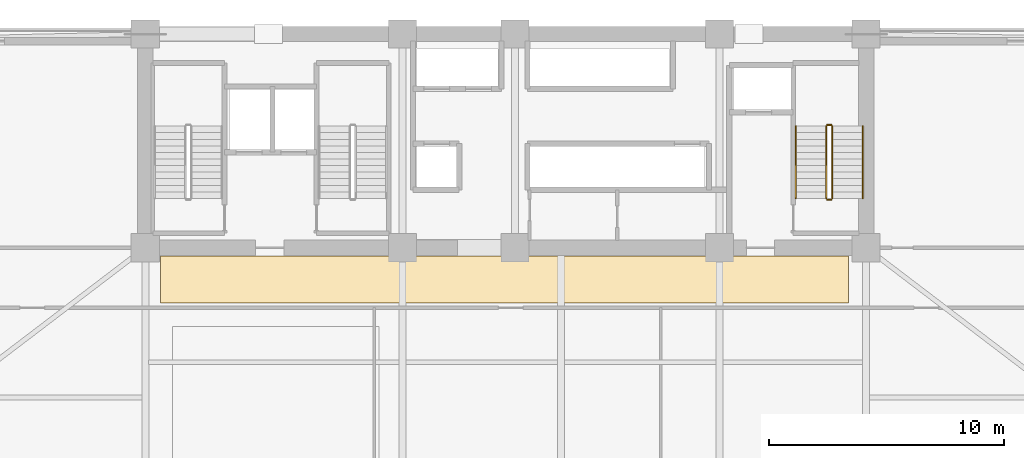
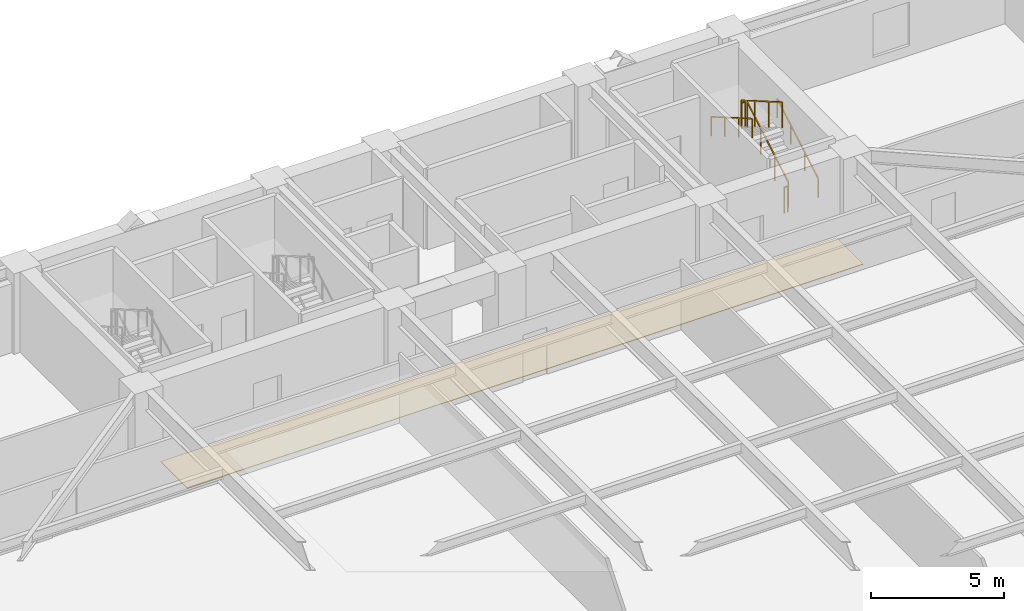
# One storey, part 16 of 17: 6 railings, 1 covering.
"""IFC4 building model written with IfcOpenShell, lengths in metres."""

from ifc_helpers import new_model, si_unit, direction, frame, origin, origin_2d, place, context, subcontext, project, spatial, polyline, rectangle, outline, extrude, material, layer, layer_set, type_object, element, save


model = new_model("IFC4")

# Units and contexts
model_context = context("Model", 3, precision=1e-05, world=origin(), true_north=direction((0.0, 1.0)))
body_context = subcontext(model_context, "Body", "Model", "MODEL_VIEW")
ifc_project = project(units=[si_unit("LENGTHUNIT", "METRE"), si_unit("AREAUNIT", "SQUARE_METRE"), si_unit("VOLUMEUNIT", "CUBIC_METRE"), si_unit("PLANEANGLEUNIT", "RADIAN"), si_unit("MASSUNIT", "GRAM", prefix="KILO")], contexts=[model_context])

# Site, building, storey
site_placement = place(None, origin())
site = spatial("IfcSite", under=ifc_project, at=site_placement, CompositionType="ELEMENT")
building_placement = place(site_placement, origin())
building = spatial("IfcBuilding", under=site, at=building_placement, Name="Giltprow Tower", CompositionType="ELEMENT")
storey_placement = place(building_placement, frame((0.0, 0.0, 25.39990234375)))
storey = spatial("IfcBuildingStorey", under=building, at=storey_placement, Name="L06", CompositionType="ELEMENT", Elevation=25.39990234375)

# Covering
ifc_material_1 = material(Name="Honed granite", Category="masonry")
ifc_layer = layer(ifc_material_1, 0.030029296875, Name="Honed granite")
ifc_layer_set = layer_set([ifc_layer], Name="Honed granite")
covering_type = type_object("IfcCoveringType", Name="COV-FLR-STONE", PredefinedType="FLOORING", material=ifc_layer_set)
covering_placement = place(storey_placement, origin())
element("IfcCovering", 1, at=covering_placement, inside=storey, type_object=covering_type, Name="L06 Office Corridor Stone Flooring", PredefinedType="FLOORING", context=body_context, shape_type="SweptSolid", body=[
    extrude(outline(polyline([(20.5, 35.10009765625), (49.800048828125, 35.10009765625), (49.800048828125, 37.10009765625), (20.5, 37.10009765625), (20.5, 35.10009765625)])), origin(), (0.0, 0.0, 1.0), 0.030029296875),
])

# Railings
ifc_material_2 = material(Name="Anodized bronze", Category="metal")
railing_type_1 = type_object("IfcRailingType", Name="RAIL-STAIR-GUARD-1200", PredefinedType="GUARDRAIL", material=ifc_material_2)
railing_1_placement = place(storey_placement, frame((49.110107421875, 39.550048828125, 0.16259765625)))
element("IfcRailing", 2, at=railing_1_placement, inside=storey, type_object=railing_type_1, Name="L06 ST-3 stair guard 1", PredefinedType="GUARDRAIL", context=body_context, shape_type="SweptSolid", body=[
    extrude(rectangle(XDim=0.048095703125, YDim=0.048095703125, at=origin_2d()), frame((0.0, 0.0, 1.17578125), z_axis=(0.0, 0.864873446163, 0.501989962173), x_axis=(-1.0, 0.0, 0.0)), (0.0, 0.0, 1.0), 3.56103515625),
    extrude(rectangle(XDim=0.0419921875, YDim=0.0419921875, at=origin_2d()), origin(), (0.0, 0.0, 1.0), 1.15185546875),
    extrude(rectangle(XDim=0.0419921875, YDim=0.0419921875, at=origin_2d()), frame((0.0, 1.026611328125, 0.595947265625)), (0.0, 0.0, 1.0), 1.15185546875),
    extrude(rectangle(XDim=0.0419921875, YDim=0.0419921875, at=origin_2d()), frame((0.0, 2.05322265625, 1.191650390625)), (0.0, 0.0, 1.0), 1.15185546875),
    extrude(rectangle(XDim=0.0419921875, YDim=0.0419921875, at=origin_2d()), frame((0.0, 3.079833984375, 1.78759765625)), (0.0, 0.0, 1.0), 1.15185546875),
])
railing_2_placement = place(storey_placement, frame((49.06005859375, 42.679931640625, 1.9501953125)))
element("IfcRailing", 3, at=railing_2_placement, inside=storey, type_object=railing_type_1, Name="L06 ST-3 stair guard 2", PredefinedType="GUARDRAIL", context=body_context, shape_type="SweptSolid", body=[
    extrude(rectangle(XDim=0.048095703125, YDim=0.048095703125, at=origin_2d()), frame((0.0, 0.0, 1.17578125), z_axis=(-1.0, 0.0, 0.0), x_axis=(0.0, -1.0, 0.0)), (0.0, 0.0, 1.0), 0.16015625),
    extrude(rectangle(XDim=0.0419921875, YDim=0.0419921875, at=origin_2d()), origin(), (0.0, 0.0, 1.0), 1.15185546875),
    extrude(rectangle(XDim=0.0419921875, YDim=0.0419921875, at=origin_2d()), frame((-0.16015625, 0.0, 0.0)), (0.0, 0.0, 1.0), 1.15185546875),
])
railing_3_placement = place(storey_placement, frame((48.85009765625, 42.6298828125, 2.112548828125)))
element("IfcRailing", 4, at=railing_3_placement, inside=storey, type_object=railing_type_1, Name="L06 ST-3 stair guard 3", PredefinedType="GUARDRAIL", context=body_context, shape_type="SweptSolid", body=[
    extrude(rectangle(XDim=0.048095703125, YDim=0.048095703125, at=origin_2d()), frame((0.0, 0.0, 1.17578125), z_axis=(0.0, -0.864873446163, 0.501989962173), x_axis=(1.0, 0.0, 0.0)), (0.0, 0.0, 1.0), 3.56103515625),
    extrude(rectangle(XDim=0.0419921875, YDim=0.0419921875, at=origin_2d()), origin(), (0.0, 0.0, 1.0), 1.15185546875),
    extrude(rectangle(XDim=0.0419921875, YDim=0.0419921875, at=origin_2d()), frame((0.0, -1.026611328125, 0.595947265625)), (0.0, 0.0, 1.0), 1.15185546875),
    extrude(rectangle(XDim=0.0419921875, YDim=0.0419921875, at=origin_2d()), frame((0.0, -2.05322265625, 1.191650390625)), (0.0, 0.0, 1.0), 1.15185546875),
    extrude(rectangle(XDim=0.0419921875, YDim=0.0419921875, at=origin_2d()), frame((0.0, -3.079833984375, 1.78759765625)), (0.0, 0.0, 1.0), 1.15185546875),
])
railing_4_placement = place(storey_placement, frame((49.06005859375, 39.5, 0.0)))
element("IfcRailing", 5, at=railing_4_placement, inside=storey, type_object=railing_type_1, Name="L06 ST-3 stair guard 4", PredefinedType="GUARDRAIL", context=body_context, shape_type="SweptSolid", body=[
    extrude(rectangle(XDim=0.048095703125, YDim=0.048095703125, at=origin_2d()), frame((0.0, 0.0, 1.17578125), z_axis=(-1.0, 0.0, 0.0), x_axis=(0.0, -1.0, 0.0)), (0.0, 0.0, 1.0), 0.16015625),
    extrude(rectangle(XDim=0.0419921875, YDim=0.0419921875, at=origin_2d()), origin(), (0.0, 0.0, 1.0), 1.15185546875),
    extrude(rectangle(XDim=0.0419921875, YDim=0.0419921875, at=origin_2d()), frame((-0.16015625, 0.0, 0.0)), (0.0, 0.0, 1.0), 1.15185546875),
])
railing_type_2 = type_object("IfcRailingType", Name="RAIL-STAIR-HAND-900", PredefinedType="HANDRAIL", material=ifc_material_2)
railing_5_placement = place(storey_placement, frame((50.409912109375, 39.550048828125, 0.16259765625)))
element("IfcRailing", 6, at=railing_5_placement, inside=storey, type_object=railing_type_2, Name="L06 ST-3 stair handrail 1", PredefinedType="HANDRAIL", context=body_context, shape_type="SweptSolid", body=[
    extrude(rectangle(XDim=0.048095703125, YDim=0.048095703125, at=origin_2d()), frame((0.0, 0.0, 0.8759765625), z_axis=(0.0, 0.864873446163, 0.501989962173), x_axis=(-1.0, 0.0, 0.0)), (0.0, 0.0, 1.0), 3.56103515625),
    extrude(rectangle(XDim=0.0419921875, YDim=0.0419921875, at=origin_2d()), origin(), (0.0, 0.0, 1.0), 0.851806640625),
    extrude(rectangle(XDim=0.0419921875, YDim=0.0419921875, at=origin_2d()), frame((0.0, 1.026611328125, 0.595947265625)), (0.0, 0.0, 1.0), 0.851806640625),
    extrude(rectangle(XDim=0.0419921875, YDim=0.0419921875, at=origin_2d()), frame((0.0, 2.05322265625, 1.191650390625)), (0.0, 0.0, 1.0), 0.851806640625),
    extrude(rectangle(XDim=0.0419921875, YDim=0.0419921875, at=origin_2d()), frame((0.0, 3.079833984375, 1.78759765625)), (0.0, 0.0, 1.0), 0.851806640625),
])
railing_6_placement = place(storey_placement, frame((47.550048828125, 42.6298828125, 2.112548828125)))
element("IfcRailing", 7, at=railing_6_placement, inside=storey, type_object=railing_type_2, Name="L06 ST-3 stair handrail 2", PredefinedType="HANDRAIL", context=body_context, shape_type="SweptSolid", body=[
    extrude(rectangle(XDim=0.048095703125, YDim=0.048095703125, at=origin_2d()), frame((0.0, 0.0, 0.8759765625), z_axis=(0.0, -0.864873446163, 0.501989962173), x_axis=(1.0, 0.0, 0.0)), (0.0, 0.0, 1.0), 3.56103515625),
    extrude(rectangle(XDim=0.0419921875, YDim=0.0419921875, at=origin_2d()), origin(), (0.0, 0.0, 1.0), 0.851806640625),
    extrude(rectangle(XDim=0.0419921875, YDim=0.0419921875, at=origin_2d()), frame((0.0, -1.026611328125, 0.595947265625)), (0.0, 0.0, 1.0), 0.851806640625),
    extrude(rectangle(XDim=0.0419921875, YDim=0.0419921875, at=origin_2d()), frame((0.0, -2.05322265625, 1.191650390625)), (0.0, 0.0, 1.0), 0.851806640625),
    extrude(rectangle(XDim=0.0419921875, YDim=0.0419921875, at=origin_2d()), frame((0.0, -3.079833984375, 1.78759765625)), (0.0, 0.0, 1.0), 0.851806640625),
])

save(model, "model.ifc")
